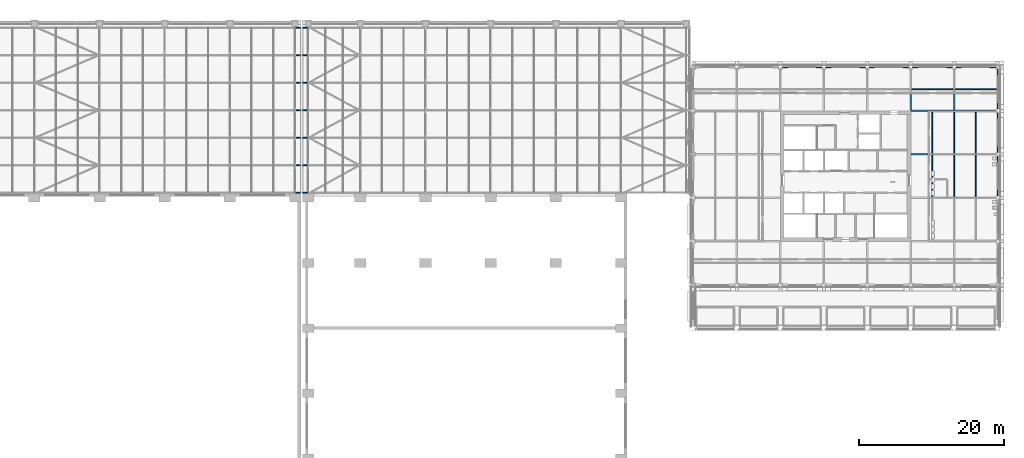
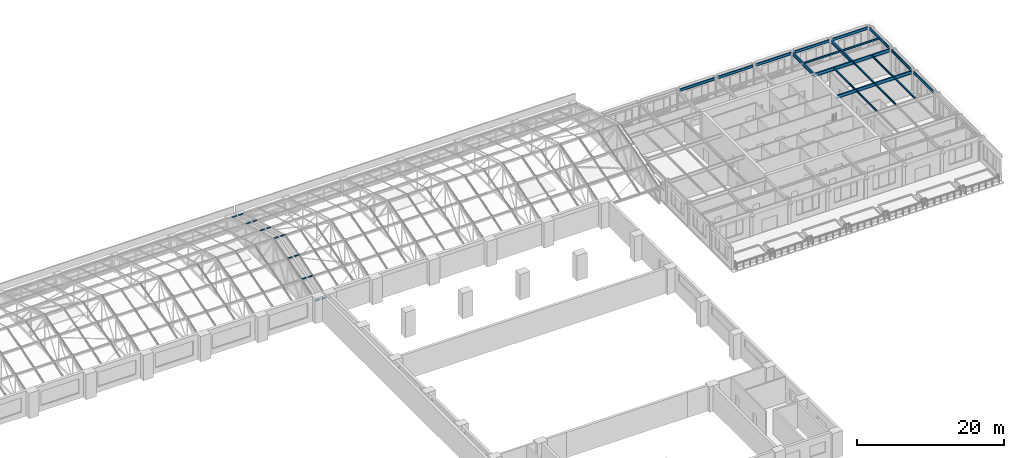
# One storey, part 44 of 82: 20 beams, 14 members.
"""IFC4 building model written with IfcOpenShell, lengths in metres."""

from ifc_helpers import new_model, si_unit, direction, frame, origin, origin_2d, place, context, subcontext, project, spatial, rectangle, i_section, extrude, material, material_profile, profile_set, type_object, element, save


model = new_model("IFC4")

# Units and contexts
model_context = context("Model", 3, precision=1e-05, world=origin(), true_north=direction((0.0, 1.0)))
body_context = subcontext(model_context, "Body", "Model", "MODEL_VIEW")
ifc_project = project(units=[si_unit("LENGTHUNIT", "METRE"), si_unit("AREAUNIT", "SQUARE_METRE"), si_unit("VOLUMEUNIT", "CUBIC_METRE"), si_unit("PLANEANGLEUNIT", "RADIAN"), si_unit("MASSUNIT", "GRAM", prefix="KILO")], contexts=[model_context])

# Site, building, storey
site_placement = place(None, origin())
site = spatial("IfcSite", under=ifc_project, at=site_placement, CompositionType="ELEMENT")
building_placement = place(site_placement, origin())
building = spatial("IfcBuilding", under=site, at=building_placement, Name="Aravalli Gate Trade Fair Centre", CompositionType="ELEMENT")
storey_placement = place(building_placement, frame((0.0, 0.0, 19.199951171875)))
storey = spatial("IfcBuildingStorey", under=building, at=storey_placement, Name="L04", CompositionType="ELEMENT", Elevation=19.199951171875)

# Members
ifc_material_1 = material(Name="Aluminium", Category="aluminium")
ifc_material_profile_1 = material_profile(ifc_material_1, rectangle(XDim=0.139892578125, YDim=0.1201171875, at=origin_2d()), Name="Vault fold cap 140 x 120")
ifc_profile_set_1 = profile_set([ifc_material_profile_1], Name="Aluminium")
member_type = type_object("IfcMemberType", Name="Vault fold cap 140 x 120", PredefinedType="USERDEFINED", material=ifc_profile_set_1)
for number, where, z_axis, x_axis, name in (
    (1, (105.030029296875, 109.699951171875, 2.81298828125), (1.0, 0.0, 0.0), (0.0, 1.0, 0.0), "Vault fold cap w31.0"),
    (2, (105.030029296875, 113.5, 4.061279296875), (1.0, 0.0, 0.0), (0.0, 1.0, 0.0), "Vault fold cap w31.1"),
    (3, (105.030029296875, 117.300048828125, 5.209228515625), (1.0, 0.0, 0.0), (0.0, 1.0, 0.0), "Vault fold cap w31.2"),
    (4, (105.030029296875, 121.10009765625, 6.239990234375), (1.0, 0.0, 0.0), (0.0, 1.0, 0.0), "Vault fold cap w31.3"),
    (5, (105.030029296875, 124.89990234375, 5.209228515625), (1.0, 0.0, 0.0), (0.0, 1.0, 0.0), "Vault fold cap w31.4"),
    (6, (105.030029296875, 128.699951171875, 4.061279296875), (1.0, 0.0, 0.0), (0.0, 1.0, 0.0), "Vault fold cap w31.5"),
    (7, (105.030029296875, 132.5, 2.81298828125), (1.0, 0.0, 0.0), (0.0, 1.0, 0.0), "Vault fold cap w31.6"),
    (8, (106.06005859375, 109.699951171875, 2.81298828125), (1.0, 0.0, 0.0), (0.0, 1.0, 0.0), "Vault fold cap e1.0"),
    (9, (106.06005859375, 113.5, 4.061279296875), (1.0, 0.0, 0.0), (0.0, 1.0, 0.0), "Vault fold cap e1.1"),
    (10, (106.06005859375, 117.300048828125, 5.209228515625), (1.0, 0.0, 0.0), (0.0, 1.0, 0.0), "Vault fold cap e1.2"),
    (11, (106.06005859375, 121.10009765625, 6.239990234375), (1.0, 0.0, 0.0), (0.0, 1.0, 0.0), "Vault fold cap e1.3"),
    (12, (106.06005859375, 124.89990234375, 5.209228515625), (1.0, 0.0, 0.0), (0.0, 1.0, 0.0), "Vault fold cap e1.4"),
    (13, (106.06005859375, 128.699951171875, 4.061279296875), (1.0, 0.0, 0.0), (0.0, 1.0, 0.0), "Vault fold cap e1.5"),
    (14, (106.06005859375, 132.5, 2.81298828125), (1.0, 0.0, 0.0), (0.0, 1.0, 0.0), "Vault fold cap e1.6"),
):
    element("IfcMember", number, at=place(storey_placement, frame(where, z_axis=z_axis, x_axis=x_axis)), inside=storey, type_object=member_type, Name=name, ObjectType="FOLD CAP", PredefinedType="USERDEFINED", context=body_context, shape_type="SweptSolid", body=[
        extrude(rectangle(XDim=0.139892578125, YDim=0.1201171875, at=origin_2d()), origin(), (0.0, 0.0, 1.0), 0.7099609375),
    ])

# Beams
ifc_material_2 = material(Name="Steel E350", Category="steel")
ifc_material_profile_2 = material_profile(ifc_material_2, i_section(OverallWidth=0.18994140625, OverallDepth=0.550048828125, WebThickness=0.01123046875, FlangeThickness=0.019287109375, at=origin_2d()), Name="ISMB 550")
ifc_profile_set_2 = profile_set([ifc_material_profile_2], Name="Steel E350")
beam_type_1 = type_object("IfcBeamType", Name="Wing core to perimeter girder ISMB 550 (capital and roof)", PredefinedType="BEAM", material=ifc_profile_set_2)
for number, where, z_axis, x_axis, name in (
    (15, (190.0, 115.0, 3.72509765625), (1.0, 0.0, 0.0), (0.0, 1.0, 0.0), "Core to perimeter girder PE2 ROOF LEVEL 1"),
    (16, (190.0, 121.0, 3.72509765625), (1.0, 0.0, 0.0), (0.0, 1.0, 0.0), "Core to perimeter girder PE3 ROOF LEVEL 1"),
):
    element("IfcBeam", number, at=place(storey_placement, frame(where, z_axis=z_axis, x_axis=x_axis)), inside=storey, type_object=beam_type_1, Name=name, PredefinedType="BEAM", context=body_context, shape_type="SweptSolid", body=[
        extrude(i_section(OverallWidth=0.18994140625, OverallDepth=0.550048828125, WebThickness=0.01123046875, FlangeThickness=0.019287109375, at=origin_2d()), origin(), (0.0, 0.0, 1.0), 11.77490234375),
    ])
beam_1_placement = place(storey_placement, frame((190.0, 121.094970703125, 3.72509765625), z_axis=(0.0, 1.0, 0.0), x_axis=(-1.0, 0.0, 0.0)))
element("IfcBeam", 17, at=beam_1_placement, inside=storey, type_object=beam_type_1, Name="Core to perimeter girder PN3a ROOF LEVEL 1", PredefinedType="BEAM", context=body_context, shape_type="SweptSolid", body=[
    extrude(i_section(OverallWidth=0.18994140625, OverallDepth=0.550048828125, WebThickness=0.01123046875, FlangeThickness=0.019287109375, at=origin_2d()), origin(), (0.0, 0.0, 1.0), 5.679931640625),
])
ifc_material_profile_3 = material_profile(ifc_material_2, i_section(OverallWidth=0.18994140625, OverallDepth=0.550048828125, WebThickness=0.01123046875, FlangeThickness=0.019287109375, at=origin_2d()), Name="ISMB 550")
ifc_profile_set_3 = profile_set([ifc_material_profile_3], Name="Steel E350")
beam_type_2 = type_object("IfcBeamType", Name="Wing corner transfer girder ISMB 550 (capital and roof)", PredefinedType="BEAM", material=ifc_profile_set_3)
beam_2_placement = place(storey_placement, frame((196.0, 121.094970703125, 3.72509765625), z_axis=(0.0, 1.0, 0.0), x_axis=(-1.0, 0.0, 0.0)))
element("IfcBeam", 18, at=beam_2_placement, inside=storey, type_object=beam_type_2, Name="Corner transfer girder CNEya ROOF LEVEL 1", PredefinedType="BEAM", context=body_context, shape_type="SweptSolid", body=[
    extrude(i_section(OverallWidth=0.18994140625, OverallDepth=0.550048828125, WebThickness=0.01123046875, FlangeThickness=0.019287109375, at=origin_2d()), origin(), (0.0, 0.0, 1.0), 5.679931640625),
])
ifc_material_profile_4 = material_profile(ifc_material_2, i_section(OverallWidth=0.14990234375, OverallDepth=0.449951171875, WebThickness=0.009521484375, FlangeThickness=0.017333984375, at=origin_2d()), Name="ISMB 450")
ifc_profile_set_4 = profile_set([ifc_material_profile_4], Name="Steel E350")
beam_type_3 = type_object("IfcBeamType", Name="Wing perimeter beam ISMB 450 (capital and roof)", PredefinedType="BEAM", material=ifc_profile_set_4)
for number, where, z_axis, x_axis, name in (
    (19, (172.22509765625, 127.0, 3.775146484375), (1.0, 0.0, 0.0), (0.0, 1.0, 0.0), "Perimeter beam EQ2 ROOF LEVEL 1"),
    (20, (178.22509765625, 127.0, 3.775146484375), (1.0, 0.0, 0.0), (0.0, 1.0, 0.0), "Perimeter beam EQ3 ROOF LEVEL 1"),
    (21, (184.22509765625, 127.0, 3.775146484375), (1.0, 0.0, 0.0), (0.0, 1.0, 0.0), "Perimeter beam EQ4 ROOF LEVEL 1"),
    (22, (190.22509765625, 127.0, 3.775146484375), (1.0, 0.0, 0.0), (0.0, 1.0, 0.0), "Perimeter beam EQ5 ROOF LEVEL 1"),
    (23, (196.22509765625, 127.0, 3.775146484375), (1.0, 0.0, 0.0), (0.0, 1.0, 0.0), "Perimeter beam EQ6 ROOF LEVEL 1"),
    (24, (202.0, 109.22509765625, 3.775146484375), (0.0, 1.0, 0.0), (-1.0, 0.0, 0.0), "Perimeter beam EE3 ROOF LEVEL 1"),
    (25, (202.0, 115.22509765625, 3.775146484375), (0.0, 1.0, 0.0), (-1.0, 0.0, 0.0), "Perimeter beam EE4 ROOF LEVEL 1"),
    (26, (202.0, 121.22509765625, 3.775146484375), (0.0, 1.0, 0.0), (-1.0, 0.0, 0.0), "Perimeter beam EE5 ROOF LEVEL 1"),
):
    element("IfcBeam", number, at=place(storey_placement, frame(where, z_axis=z_axis, x_axis=x_axis)), inside=storey, type_object=beam_type_3, Name=name, PredefinedType="BEAM", context=body_context, shape_type="SweptSolid", body=[
        extrude(i_section(OverallWidth=0.14990234375, OverallDepth=0.449951171875, WebThickness=0.009521484375, FlangeThickness=0.017333984375, at=origin_2d()), origin(), (0.0, 0.0, 1.0), 5.5498046875),
    ])
ifc_material_profile_5 = material_profile(ifc_material_2, i_section(OverallWidth=0.139892578125, OverallDepth=0.300048828125, WebThickness=0.0078125, FlangeThickness=0.01318359375, at=origin_2d()), Name="ISMB 300")
ifc_profile_set_5 = profile_set([ifc_material_profile_5], Name="Steel E350")
beam_type_4 = type_object("IfcBeamType", Name="Wing secondary beam ISMB 300 (capital and roof)", PredefinedType="BEAM", material=ifc_profile_set_5)
beam_3_placement = place(storey_placement, frame((190.094970703125, 124.0, 3.85009765625), z_axis=(1.0, 0.0, 0.0), x_axis=(0.0, 1.0, 0.0)))
element("IfcBeam", 27, at=beam_3_placement, inside=storey, type_object=beam_type_4, Name="Secondary beam KEN00 ROOF LEVEL 1", PredefinedType="BEAM", context=body_context, shape_type="SweptSolid", body=[
    extrude(i_section(OverallWidth=0.139892578125, OverallDepth=0.300048828125, WebThickness=0.0078125, FlangeThickness=0.01318359375, at=origin_2d()), origin(), (0.0, 0.0, 1.0), 5.81005859375),
])
beam_4_placement = place(storey_placement, frame((196.094970703125, 124.0, 3.85009765625), z_axis=(1.0, 0.0, 0.0), x_axis=(0.0, 1.0, 0.0)))
element("IfcBeam", 28, at=beam_4_placement, inside=storey, type_object=beam_type_4, Name="Secondary beam KEN01 ROOF LEVEL 1", PredefinedType="BEAM", context=body_context, shape_type="SweptSolid", body=[
    extrude(i_section(OverallWidth=0.139892578125, OverallDepth=0.300048828125, WebThickness=0.0078125, FlangeThickness=0.01318359375, at=origin_2d()), origin(), (0.0, 0.0, 1.0), 5.830078125),
])
for number, where, z_axis, x_axis, name in (
    (29, (193.0, 109.094970703125, 3.85009765625), (0.0, 1.0, 0.0), (-1.0, 0.0, 0.0), "Secondary beam BE1193 ROOF LEVEL 1"),
    (30, (196.0, 109.094970703125, 3.85009765625), (0.0, 1.0, 0.0), (-1.0, 0.0, 0.0), "Secondary beam BE1196 ROOF LEVEL 1"),
    (31, (199.0, 109.094970703125, 3.85009765625), (0.0, 1.0, 0.0), (-1.0, 0.0, 0.0), "Secondary beam BE1199 ROOF LEVEL 1"),
    (32, (193.0, 115.094970703125, 3.85009765625), (0.0, 1.0, 0.0), (-1.0, 0.0, 0.0), "Secondary beam BE2193 ROOF LEVEL 1"),
    (33, (196.0, 115.094970703125, 3.85009765625), (0.0, 1.0, 0.0), (-1.0, 0.0, 0.0), "Secondary beam BE2196 ROOF LEVEL 1"),
    (34, (199.0, 115.094970703125, 3.85009765625), (0.0, 1.0, 0.0), (-1.0, 0.0, 0.0), "Secondary beam BE2199 ROOF LEVEL 1"),
):
    element("IfcBeam", number, at=place(storey_placement, frame(where, z_axis=z_axis, x_axis=x_axis)), inside=storey, type_object=beam_type_4, Name=name, PredefinedType="BEAM", context=body_context, shape_type="SweptSolid", body=[
        extrude(i_section(OverallWidth=0.139892578125, OverallDepth=0.300048828125, WebThickness=0.0078125, FlangeThickness=0.01318359375, at=origin_2d()), origin(), (0.0, 0.0, 1.0), 5.81005859375),
    ])

save(model, "model.ifc")
